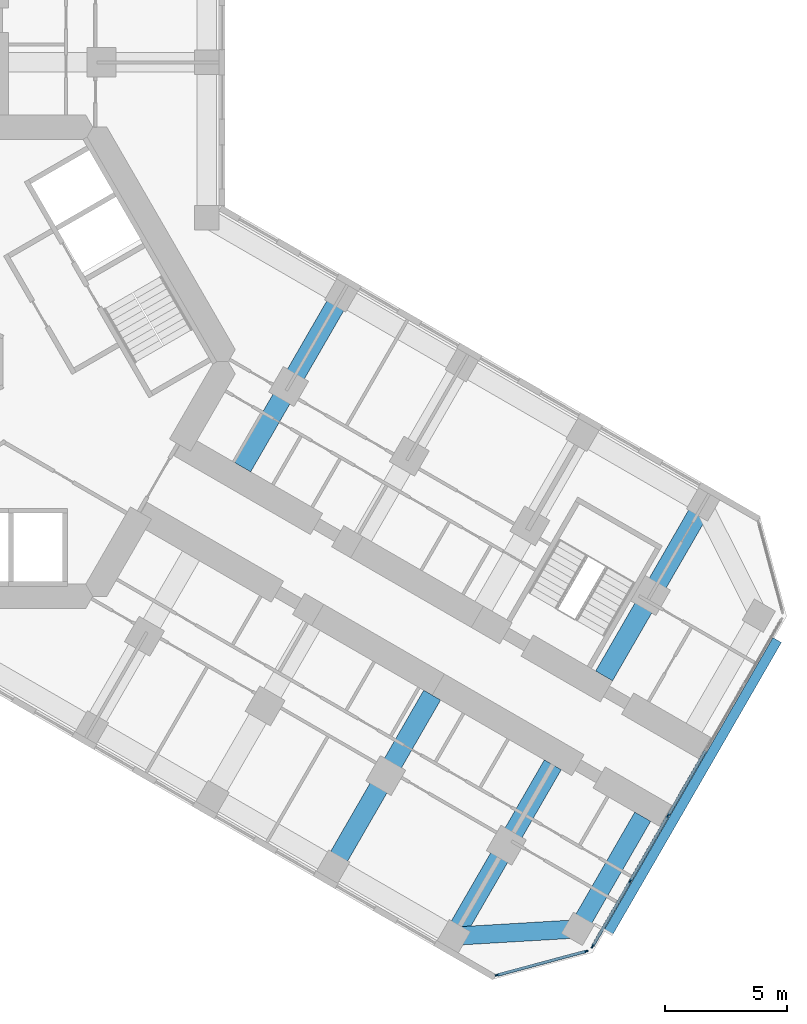
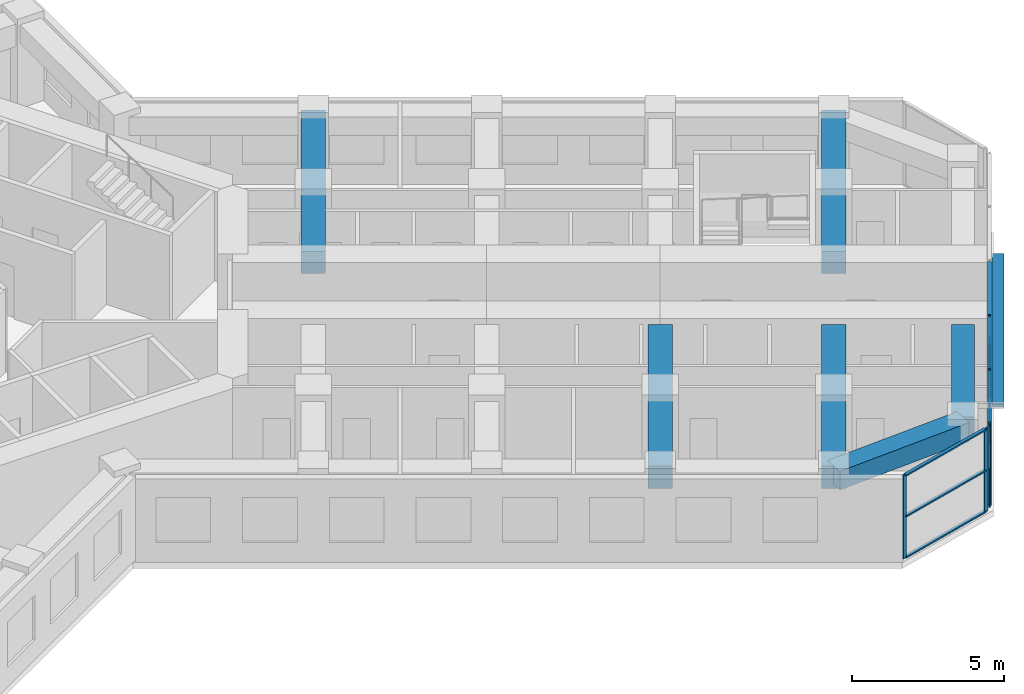
# One storey, part 5 of 21: 15 members, 6 beams, 2 elements without a shape of their own.
"""IFC4 building model written with IfcOpenShell, lengths in metres."""

from ifc_helpers import new_model, si_unit, direction, frame, origin, origin_2d, place, context, subcontext, project, spatial, rectangle, extrude, material, material_profile, profile_set, type_object, element, aggregate, save


model = new_model("IFC4")

# Units and contexts
model_context = context("Model", 3, precision=1e-05, world=origin(), true_north=direction((0.0, 1.0)))
body_context = subcontext(model_context, "Body", "Model", "MODEL_VIEW")
ifc_project = project(units=[si_unit("LENGTHUNIT", "METRE"), si_unit("AREAUNIT", "SQUARE_METRE"), si_unit("VOLUMEUNIT", "CUBIC_METRE"), si_unit("PLANEANGLEUNIT", "RADIAN"), si_unit("MASSUNIT", "GRAM", prefix="KILO")], contexts=[model_context])

# Site, building, storey
site_placement = place(None, origin())
site = spatial("IfcSite", under=ifc_project, at=site_placement, CompositionType="ELEMENT")
building_placement = place(site_placement, origin())
building = spatial("IfcBuilding", under=site, at=building_placement, Name="Kosmar Iwan School Tower", CompositionType="ELEMENT")
storey_placement = place(building_placement, frame((0.0, 0.0, 71.800048828125)))
storey = spatial("IfcBuildingStorey", under=building, at=storey_placement, Name="L17", CompositionType="ELEMENT", Elevation=71.800048828125)

# Member
ifc_material_1 = material(Name="Black anodised aluminium", Category="aluminium")
ifc_material_profile_1 = material_profile(ifc_material_1, rectangle(XDim=0.10009765625, YDim=0.39990234375, at=origin_2d()), Name="FIN 100x400")
ifc_profile_set_1 = profile_set([ifc_material_profile_1], Name="Black anodised aluminium")
member_type_1 = type_object("IfcMemberType", Name="Diagonal fin 100x400", PredefinedType="USERDEFINED", material=ifc_profile_set_1)
member_1_placement = place(storey_placement, frame((33.54345703125, -11.40087890625, -0.150146484375), z_axis=(-0.483793446988, -0.837970316603, 0.25248692866), x_axis=(0.126241714543, 0.218661104574, 0.96760030532)))
element("IfcMember", 1, at=member_1_placement, inside=storey, type_object=member_type_1, Name="Diagonal fin L17-F03", ObjectType="FIN", PredefinedType="USERDEFINED", context=body_context, shape_type="SweptSolid", body=[
    extrude(rectangle(XDim=0.10009765625, YDim=0.39990234375, at=origin_2d()), origin(), (0.0, 0.0, 1.0), 14.258544921875),
])

# Curtain wall, members
ifc_material_2 = material(Name="Dark glass in black aluminium frame", Category="aluminium")
curtain_wall_type_1 = type_object("IfcCurtainWallType", Name="Chamfer curtain wall dark glass", PredefinedType="USERDEFINED", material=ifc_material_2)
curtain_wall_1_placement = place(storey_placement, origin())
curtain_wall_1 = element("IfcCurtainWall", 2, at=curtain_wall_1_placement, inside=storey, type_object=curtain_wall_type_1, Name="Curtain wall L17-F02", ObjectType="FACETED CURTAIN WALL", PredefinedType="USERDEFINED")
ifc_material_3 = material(Name="Black anodised aluminium", Category="aluminium")
ifc_material_profile_2 = material_profile(ifc_material_3, rectangle(XDim=0.06005859375, YDim=0.159912109375, at=origin_2d()), Name="MULLION 60x160")
ifc_profile_set_2 = profile_set([ifc_material_profile_2], Name="Black anodised aluminium")
member_type_2 = type_object("IfcMemberType", Name="Mullion 60x160", PredefinedType="MULLION", material=ifc_profile_set_2)
member_2_placement = place(storey_placement, frame((22.0830078125, -25.102294921875, 0.0), z_axis=(0.0, 0.0, 1.0), x_axis=(-0.258818861462, 0.965925875495, 0.0)))
member_2 = element("IfcMember", 3, at=member_2_placement, type_object=member_type_2, Name="CW2 mullion 1", PredefinedType="MULLION", context=body_context, shape_type="SweptSolid", body=[
    extrude(rectangle(XDim=0.06005859375, YDim=0.159912109375, at=origin_2d()), origin(), (0.0, 0.0, 1.0), 3.349853515625),
])
member_3_placement = place(storey_placement, frame((25.733154296875, -24.124267578125, 0.0), z_axis=(0.0, 0.0, 1.0), x_axis=(-0.258818861462, 0.965925875495, 0.0)))
member_3 = element("IfcMember", 4, at=member_3_placement, type_object=member_type_2, Name="CW2 mullion 2", PredefinedType="MULLION", context=body_context, shape_type="SweptSolid", body=[
    extrude(rectangle(XDim=0.06005859375, YDim=0.159912109375, at=origin_2d()), origin(), (0.0, 0.0, 1.0), 3.349853515625),
])

ifc_material_4 = material(Name="Dark glass in black aluminium frame", Category="aluminium")
curtain_wall_type_2 = type_object("IfcCurtainWallType", Name="Tower curtain wall dark glass", PredefinedType="USERDEFINED", material=ifc_material_4)
curtain_wall_2_placement = place(storey_placement, origin())
curtain_wall_2 = element("IfcCurtainWall", 5, at=curtain_wall_2_placement, inside=storey, type_object=curtain_wall_type_2, Name="Curtain wall L17-F03", ObjectType="UNITISED CURTAIN WALL", PredefinedType="USERDEFINED")
member_4_placement = place(storey_placement, frame((25.9970703125, -23.921630859375, 0.0), z_axis=(0.0, 0.0, 1.0), x_axis=(-0.866025405329, 0.499999997325, 0.0)))
member_4 = element("IfcMember", 6, at=member_4_placement, type_object=member_type_2, Name="CW1 mullion 1", PredefinedType="MULLION", context=body_context, shape_type="SweptSolid", body=[
    extrude(rectangle(XDim=0.06005859375, YDim=0.159912109375, at=origin_2d()), origin(), (0.0, 0.0, 1.0), 3.349853515625),
])
member_5_placement = place(storey_placement, frame((27.53173828125, -21.263671875, 0.0), z_axis=(0.0, 0.0, 1.0), x_axis=(-0.866025405329, 0.499999997325, 0.0)))
member_5 = element("IfcMember", 7, at=member_5_placement, type_object=member_type_2, Name="CW1 mullion 2", PredefinedType="MULLION", context=body_context, shape_type="SweptSolid", body=[
    extrude(rectangle(XDim=0.06005859375, YDim=0.159912109375, at=origin_2d()), origin(), (0.0, 0.0, 1.0), 3.349853515625),
])
member_6_placement = place(storey_placement, frame((29.081298828125, -18.57958984375, 0.0), z_axis=(0.0, 0.0, 1.0), x_axis=(-0.866025405329, 0.499999997325, 0.0)))
member_6 = element("IfcMember", 8, at=member_6_placement, type_object=member_type_2, Name="CW1 mullion 3", PredefinedType="MULLION", context=body_context, shape_type="SweptSolid", body=[
    extrude(rectangle(XDim=0.06005859375, YDim=0.159912109375, at=origin_2d()), origin(), (0.0, 0.0, 1.0), 3.349853515625),
])

# Beams
ifc_material_5 = material(Name="Concrete C50/60", Category="concrete")
ifc_material_profile_3 = material_profile(ifc_material_5, rectangle(XDim=0.75, YDim=0.75, at=origin_2d()), Name="RC 750x750")
ifc_profile_set_3 = profile_set([ifc_material_profile_3], Name="Concrete C50/60")
beam_type_1 = type_object("IfcBeamType", Name="RC tip beam 750x750", PredefinedType="BEAM", material=ifc_profile_set_3)
beam_1_placement = place(storey_placement, frame((20.31787109375, -23.508544921875, 2.974853515625), z_axis=(0.998260616478, 0.058955420358, 0.0), x_axis=(-0.058955420358, 0.998260616478, 0.0)))
element("IfcBeam", 9, at=beam_1_placement, inside=storey, type_object=beam_type_1, Name="Tip beam CR", PredefinedType="BEAM", context=body_context, shape_type="SweptSolid", body=[
    extrude(rectangle(XDim=0.75, YDim=0.75, at=origin_2d()), origin(), (0.0, 0.0, 1.0), 5.08935546875),
])
beam_2_placement = place(storey_placement, frame((25.3984375, -23.20849609375, 2.974853515625), z_axis=(0.499993606316, 0.866029095148, 0.0), x_axis=(-0.866029095148, 0.499993606316, 0.0)))
element("IfcBeam", 10, at=beam_2_placement, inside=storey, type_object=beam_type_1, Name="Tip beam CR to corridor wall", PredefinedType="BEAM", context=body_context, shape_type="SweptSolid", body=[
    extrude(rectangle(XDim=0.75, YDim=0.75, at=origin_2d()), origin(), (0.0, 0.0, 1.0), 5.2998046875),
])
ifc_material_6 = material(Name="Concrete C50/60", Category="concrete")
ifc_material_profile_4 = material_profile(ifc_material_6, rectangle(XDim=0.800048828125, YDim=0.89990234375, at=origin_2d()), Name="RC 800x900")
ifc_profile_set_4 = profile_set([ifc_material_profile_4], Name="Concrete C50/60")
beam_type_2 = type_object("IfcBeamType", Name="RC transverse beam 800x900", PredefinedType="BEAM", material=ifc_profile_set_4)
for number, where, z_axis, x_axis, name in (
    (11, (15.708740234375, 2.70849609375, 2.89990234375), (-0.499999880539, -0.866025472755, 0.0), (0.866025472755, -0.499999880539, 0.0), "Transverse beam CL1"),
    (12, (30.517822265625, -5.841552734375, 2.89990234375), (-0.499999880539, -0.866025472755, 0.0), (0.866025472755, -0.499999880539, 0.0), "Transverse beam CL4"),
    (13, (15.381591796875, -20.658447265625, 2.89990234375), (0.499977274689, 0.866038523851, 0.0), (-0.866038523851, 0.499977274689, 0.0), "Transverse beam CR3"),
    (14, (20.31787109375, -23.508544921875, 2.89990234375), (0.499999880539, 0.866025472755, 0.0), (-0.866025472755, 0.499999880539, 0.0), "Transverse beam CR4"),
):
    element("IfcBeam", number, at=place(storey_placement, frame(where, z_axis=z_axis, x_axis=x_axis)), inside=storey, type_object=beam_type_2, Name=name, PredefinedType="BEAM", context=body_context, shape_type="SweptSolid", body=[
        extrude(rectangle(XDim=0.800048828125, YDim=0.89990234375, at=origin_2d()), origin(), (0.0, 0.0, 1.0), 8.10009765625),
    ])

# Member
ifc_material_7 = material(Name="Black anodised aluminium", Category="aluminium")
ifc_material_profile_5 = material_profile(ifc_material_7, rectangle(XDim=0.1201171875, YDim=0.06005859375, at=origin_2d()), Name="TRANSOM 60x120")
ifc_profile_set_5 = profile_set([ifc_material_profile_5], Name="Black anodised aluminium")
member_type_3 = type_object("IfcMemberType", Name="Transom 60x120", PredefinedType="USERDEFINED", material=ifc_profile_set_5)
member_7_placement = place(storey_placement, frame((22.11181640625, -25.094482421875, 0.030029296875), z_axis=(0.965923731726, 0.258826861991, 0.0), x_axis=(-0.258826861991, 0.965923731726, 0.0)))
member_7 = element("IfcMember", 15, at=member_7_placement, type_object=member_type_3, Name="CW2 transom 1.1", ObjectType="TRANSOM", PredefinedType="USERDEFINED", context=body_context, shape_type="SweptSolid", body=[
    extrude(rectangle(XDim=0.1201171875, YDim=0.06005859375, at=origin_2d()), origin(), (0.0, 0.0, 1.0), 3.71923828125),
])

member_8_placement = place(storey_placement, frame((22.11181640625, -25.094482421875, 1.675048828125), z_axis=(0.965923731726, 0.258826861991, 0.0), x_axis=(-0.258826861991, 0.965923731726, 0.0)))
member_8 = element("IfcMember", 16, at=member_8_placement, type_object=member_type_3, Name="CW2 transom 1.2", ObjectType="TRANSOM", PredefinedType="USERDEFINED", context=body_context, shape_type="SweptSolid", body=[
    extrude(rectangle(XDim=0.1201171875, YDim=0.06005859375, at=origin_2d()), origin(), (0.0, 0.0, 1.0), 3.71923828125),
])

member_9_placement = place(storey_placement, frame((22.11181640625, -25.094482421875, 3.320068359375), z_axis=(0.965923731726, 0.258826861991, 0.0), x_axis=(-0.258826861991, 0.965923731726, 0.0)))
member_9 = element("IfcMember", 17, at=member_9_placement, type_object=member_type_3, Name="CW2 transom 1.3", ObjectType="TRANSOM", PredefinedType="USERDEFINED", context=body_context, shape_type="SweptSolid", body=[
    extrude(rectangle(XDim=0.1201171875, YDim=0.06005859375, at=origin_2d()), origin(), (0.0, 0.0, 1.0), 3.71923828125),
])

aggregate(curtain_wall_1, [member_2, member_3, member_7, member_8, member_9])

member_10_placement = place(storey_placement, frame((26.01220703125, -23.895751953125, 0.030029296875), z_axis=(0.499986971506, 0.866032925658, 0.0), x_axis=(-0.866032925658, 0.499986971506, 0.0)))
member_10 = element("IfcMember", 18, at=member_10_placement, type_object=member_type_3, Name="CW1 transom 1.1", ObjectType="TRANSOM", PredefinedType="USERDEFINED", context=body_context, shape_type="SweptSolid", body=[
    extrude(rectangle(XDim=0.1201171875, YDim=0.06005859375, at=origin_2d()), origin(), (0.0, 0.0, 1.0), 3.00927734375),
])

member_11_placement = place(storey_placement, frame((26.01220703125, -23.895751953125, 3.320068359375), z_axis=(0.499986971506, 0.866032925658, 0.0), x_axis=(-0.866032925658, 0.499986971506, 0.0)))
member_11 = element("IfcMember", 19, at=member_11_placement, type_object=member_type_3, Name="CW1 transom 1.2", ObjectType="TRANSOM", PredefinedType="USERDEFINED", context=body_context, shape_type="SweptSolid", body=[
    extrude(rectangle(XDim=0.1201171875, YDim=0.06005859375, at=origin_2d()), origin(), (0.0, 0.0, 1.0), 3.00927734375),
])

member_12_placement = place(storey_placement, frame((27.546875, -21.237548828125, 0.030029296875), z_axis=(0.499975102327, 0.866039777986, 0.0), x_axis=(-0.866039777986, 0.499975102327, 0.0)))
member_12 = element("IfcMember", 20, at=member_12_placement, type_object=member_type_3, Name="CW1 transom 2.1", ObjectType="TRANSOM", PredefinedType="USERDEFINED", context=body_context, shape_type="SweptSolid", body=[
    extrude(rectangle(XDim=0.1201171875, YDim=0.06005859375, at=origin_2d()), origin(), (0.0, 0.0, 1.0), 3.039306640625),
])

member_13_placement = place(storey_placement, frame((27.546875, -21.237548828125, 3.320068359375), z_axis=(0.499975102327, 0.866039777986, 0.0), x_axis=(-0.866039777986, 0.499975102327, 0.0)))
member_13 = element("IfcMember", 21, at=member_13_placement, type_object=member_type_3, Name="CW1 transom 2.2", ObjectType="TRANSOM", PredefinedType="USERDEFINED", context=body_context, shape_type="SweptSolid", body=[
    extrude(rectangle(XDim=0.1201171875, YDim=0.06005859375, at=origin_2d()), origin(), (0.0, 0.0, 1.0), 3.039306640625),
])

member_14_placement = place(storey_placement, frame((29.096435546875, -18.553466796875, 0.030029296875), z_axis=(0.499975102327, 0.866039777986, 0.0), x_axis=(-0.866039777986, 0.499975102327, 0.0)))
member_14 = element("IfcMember", 22, at=member_14_placement, type_object=member_type_3, Name="CW1 transom 3.1", ObjectType="TRANSOM", PredefinedType="USERDEFINED", context=body_context, shape_type="SweptSolid", body=[
    extrude(rectangle(XDim=0.1201171875, YDim=0.06005859375, at=origin_2d()), origin(), (0.0, 0.0, 1.0), 3.039306640625),
])

member_15_placement = place(storey_placement, frame((29.096435546875, -18.553466796875, 3.320068359375), z_axis=(0.499975102327, 0.866039777986, 0.0), x_axis=(-0.866039777986, 0.499975102327, 0.0)))
member_15 = element("IfcMember", 23, at=member_15_placement, type_object=member_type_3, Name="CW1 transom 3.2", ObjectType="TRANSOM", PredefinedType="USERDEFINED", context=body_context, shape_type="SweptSolid", body=[
    extrude(rectangle(XDim=0.1201171875, YDim=0.06005859375, at=origin_2d()), origin(), (0.0, 0.0, 1.0), 3.039306640625),
])

aggregate(curtain_wall_2, [member_4, member_5, member_6, member_10, member_11, member_12, member_13, member_14, member_15])

save(model, "model.ifc")
